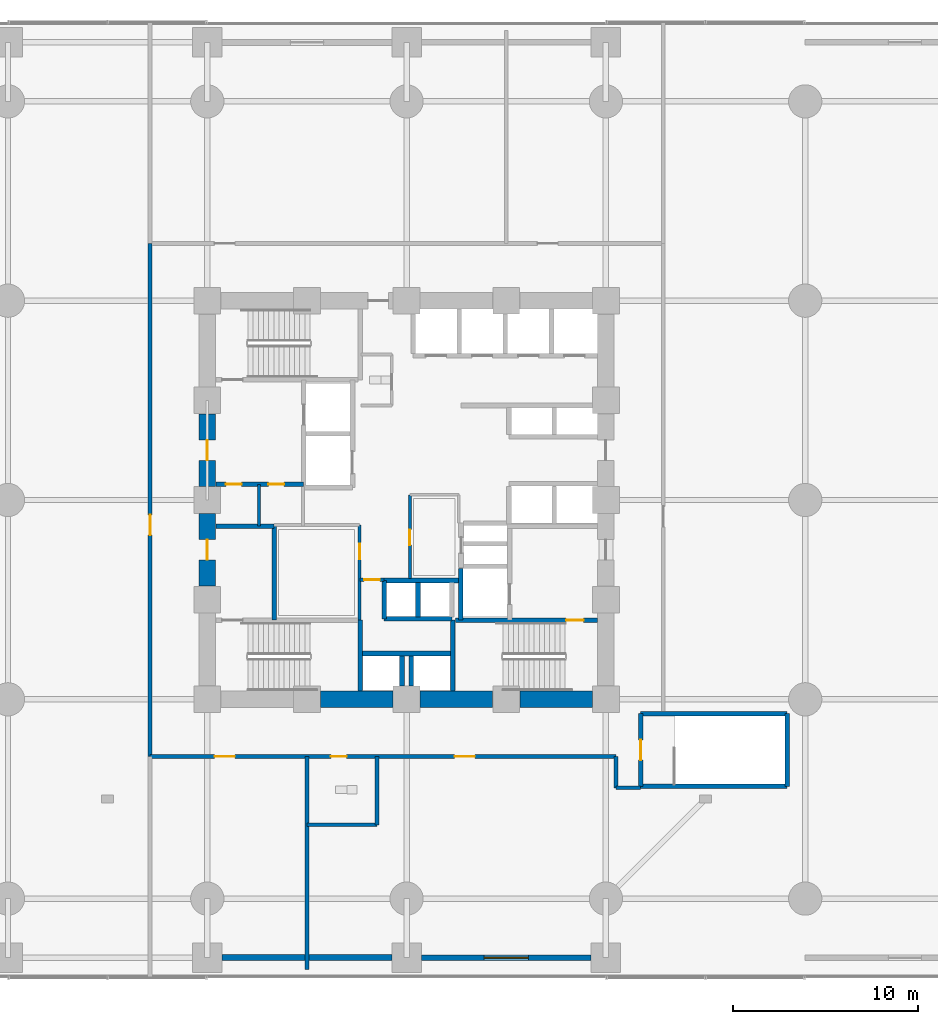
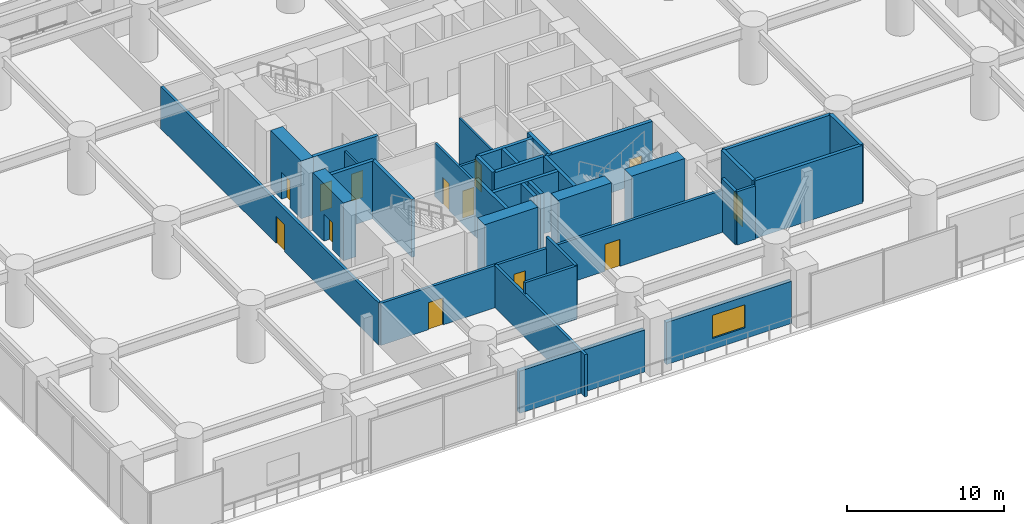
# One storey, part 27 of 35: 36 walls, 13 doors, 1 window, 14 openings.
"""IFC4 building model written with IfcOpenShell, lengths in metres."""

from ifc_helpers import new_model, si_unit, direction, frame, frame_2d, origin, place, context, subcontext, project, spatial, rectangle, extrude, material, layer, layer_set, type_object, element, fill, save


model = new_model("IFC4")

# Units and contexts
model_context = context("Model", 3, precision=1e-05, world=origin(), true_north=direction((0.0, 1.0)))
body_context = subcontext(model_context, "Body", "Model", "MODEL_VIEW")
ifc_project = project(units=[si_unit("LENGTHUNIT", "METRE"), si_unit("AREAUNIT", "SQUARE_METRE"), si_unit("VOLUMEUNIT", "CUBIC_METRE"), si_unit("PLANEANGLEUNIT", "RADIAN"), si_unit("MASSUNIT", "GRAM", prefix="KILO")], contexts=[model_context])

# Site, building, storey
site_placement = place(None, origin())
site = spatial("IfcSite", under=ifc_project, at=site_placement, CompositionType="ELEMENT")
building_placement = place(site_placement, origin())
building = spatial("IfcBuilding", under=site, at=building_placement, Name="Surkhivell Harbour Commons", CompositionType="ELEMENT")
storey_placement = place(building_placement, frame((0.0, 0.0, 13.5)))
storey = spatial("IfcBuildingStorey", under=building, at=storey_placement, Name="L03", CompositionType="ELEMENT", Elevation=13.5)

# Wall
ifc_material_1 = material(Name="Concrete C80/95", Category="concrete")
ifc_layer_1 = layer(ifc_material_1, 0.89990234375)
ifc_layer_set_1 = layer_set([ifc_layer_1], Name="Concrete C80/95")
wall_type_1 = type_object("IfcWallType", Name="WAL-CORE-900", PredefinedType="SHEAR", material=ifc_layer_set_1)
wall_1_placement = place(storey_placement, frame((-4.6650390625, -10.800048828125, 0.0), z_axis=(0.0, 0.0, 1.0), x_axis=(1.0, 0.0, 0.0)))
element("IfcWall", 1, at=wall_1_placement, inside=storey, type_object=wall_type_1, Name="L03 Core Shear Wall South 2", PredefinedType="SHEAR", context=body_context, shape_type="SweptSolid", body=[
    extrude(rectangle(XDim=3.929931640625, YDim=0.89990234375, at=frame_2d((1.96484375, 0.0))), origin(), (0.0, 0.0, 1.0), 4.5),
])

# Wall, opening, door
wall_2_placement = place(storey_placement, frame((-10.800048828125, -4.6650390625, 0.0), z_axis=(0.0, 0.0, 1.0), x_axis=(0.0, 1.0, 0.0)))
wall_2 = element("IfcWall", 2, at=wall_2_placement, inside=storey, type_object=wall_type_1, Name="L03 Core Shear Wall West 2", PredefinedType="SHEAR", context=body_context, shape_type="SweptSolid", body=[
    extrude(rectangle(XDim=3.929931640625, YDim=0.89990234375, at=frame_2d((1.96484375, 0.0))), origin(), (0.0, 0.0, 1.0), 4.5),
])
opening_1_placement = place(wall_2_placement, frame((1.4150390625, 0.0, 0.0)))
opening_1 = element("IfcOpeningElement", 3, at=opening_1_placement, cuts=wall_2, Name="Opening ID-2", PredefinedType="OPENING", context=body_context, shape_type="SweptSolid", body=[
    extrude(rectangle(XDim=1.10009765625, YDim=2.10009765625, at=frame_2d((0.550048828125, 1.050048828125))), frame((0.0, 0.4599609375, 0.0), z_axis=(0.0, -1.0, 0.0), x_axis=(1.0, 0.0, 0.0)), (0.0, 0.0, 1.0), 0.919921875),
])
ifc_material_2 = material(Name="Hardwood-veneered fire-rated door leaf", Category="wood")
door_type_1 = type_object("IfcDoorType", Name="DOR-FD60-1100", OperationType="NOTDEFINED", PredefinedType="DOOR", material=ifc_material_2)
door_1_placement = place(opening_1_placement, origin())
door_1 = element("IfcDoor", 4, at=door_1_placement, inside=storey, type_object=door_type_1, Name="L03 Stair 3 Lobby Corridor Door", OperationType="SINGLE_SWING_LEFT", OverallHeight=2.10009765625, OverallWidth=1.10009765625, PredefinedType="DOOR", context=body_context, shape_type="SweptSolid", body=[
    extrude(rectangle(XDim=1.10009765625, YDim=2.10009765625, at=frame_2d((0.550048828125, 1.050048828125))), frame((0.0, 0.02490234375, 0.0), z_axis=(0.0, -1.0, 0.0), x_axis=(1.0, 0.0, 0.0)), (0.0, 0.0, 1.0), 0.050048828125),
])
fill(opening_1, door_1)

# Wall
wall_3_placement = place(storey_placement, frame((0.735107421875, -10.800048828125, 0.0), z_axis=(0.0, 0.0, 1.0), x_axis=(1.0, 0.0, 0.0)))
element("IfcWall", 5, at=wall_3_placement, inside=storey, type_object=wall_type_1, Name="L03 Core Shear Wall South 3", PredefinedType="SHEAR", context=body_context, shape_type="SweptSolid", body=[
    extrude(rectangle(XDim=3.929931640625, YDim=0.89990234375, at=frame_2d((1.96484375, 0.0))), origin(), (0.0, 0.0, 1.0), 4.5),
])

# Wall, opening, door
wall_4_placement = place(storey_placement, frame((-10.800048828125, 0.735107421875, 0.0), z_axis=(0.0, 0.0, 1.0), x_axis=(0.0, 1.0, 0.0)))
wall_4 = element("IfcWall", 6, at=wall_4_placement, inside=storey, type_object=wall_type_1, Name="L03 Core Shear Wall West 3", PredefinedType="SHEAR", context=body_context, shape_type="SweptSolid", body=[
    extrude(rectangle(XDim=3.929931640625, YDim=0.89990234375, at=frame_2d((1.96484375, 0.0))), origin(), (0.0, 0.0, 1.0), 4.5),
])
opening_2_placement = place(wall_4_placement, frame((1.4150390625, 0.0, 0.0)))
opening_2 = element("IfcOpeningElement", 7, at=opening_2_placement, cuts=wall_4, Name="Opening ID-1", PredefinedType="OPENING", context=body_context, shape_type="SweptSolid", body=[
    extrude(rectangle(XDim=1.10009765625, YDim=2.10009765625, at=frame_2d((0.550048828125, 1.050048828125))), frame((0.0, 0.4599609375, 0.0), z_axis=(0.0, -1.0, 0.0), x_axis=(1.0, 0.0, 0.0)), (0.0, 0.0, 1.0), 0.919921875),
])
door_type_2 = type_object("IfcDoorType", Name="DOR-FD120-1100", OperationType="NOTDEFINED", PredefinedType="DOOR", material=ifc_material_2)
door_2_placement = place(opening_2_placement, origin())
door_2 = element("IfcDoor", 8, at=door_2_placement, inside=storey, type_object=door_type_2, Name="L03 Firefighting Lobby 1 Corridor Door", OperationType="SINGLE_SWING_LEFT", OverallHeight=2.10009765625, OverallWidth=1.10009765625, PredefinedType="DOOR", context=body_context, shape_type="SweptSolid", body=[
    extrude(rectangle(XDim=1.10009765625, YDim=2.10009765625, at=frame_2d((0.550048828125, 1.050048828125))), frame((0.0, 0.02490234375, 0.0), z_axis=(0.0, -1.0, 0.0), x_axis=(1.0, 0.0, 0.0)), (0.0, 0.0, 1.0), 0.050048828125),
])
fill(opening_2, door_2)

# Wall
wall_5_placement = place(storey_placement, frame((6.135009765625, -10.800048828125, 0.0), z_axis=(0.0, 0.0, 1.0), x_axis=(1.0, 0.0, 0.0)))
element("IfcWall", 9, at=wall_5_placement, inside=storey, type_object=wall_type_1, Name="L03 Core Shear Wall South 4", PredefinedType="SHEAR", context=body_context, shape_type="SweptSolid", body=[
    extrude(rectangle(XDim=3.929931640625, YDim=0.89990234375, at=frame_2d((1.96484375, 0.0))), origin(), (0.0, 0.0, 1.0), 4.5),
])

# Wall, opening, window
ifc_material_3 = material(Name="Flemish-bond kiln brick and precast concrete C45/55", Category="masonry")
ifc_layer_2 = layer(ifc_material_3, 0.300048828125)
ifc_layer_set_2 = layer_set([ifc_layer_2], Name="Flemish-bond kiln brick and precast concrete C45/55")
wall_type_2 = type_object("IfcWallType", Name="WAL-EXT-BRK300", PredefinedType="STANDARD", material=ifc_layer_set_2)
wall_6_placement = place(storey_placement, frame((10.001953125, -24.800048828125, 0.0), z_axis=(0.0, 0.0, 1.0), x_axis=(-1.0, 0.0, 0.0)))
wall_6 = element("IfcWall", 10, at=wall_6_placement, inside=storey, type_object=wall_type_2, Name="L03 Podium Brick Facade Wall S5", PredefinedType="STANDARD", context=body_context, shape_type="SweptSolid", body=[
    extrude(rectangle(XDim=9.203857421875, YDim=0.300048828125, at=frame_2d((4.60205078125, 0.0))), origin(), (0.0, 0.0, 1.0), 3.279052734375),
])
opening_3_placement = place(wall_6_placement, frame((3.402099609375, 0.0, 0.85009765625)))
opening_3 = element("IfcOpeningElement", 11, at=opening_3_placement, cuts=wall_6, Name="Opening WN-01", PredefinedType="OPENING", context=body_context, shape_type="SweptSolid", body=[
    extrude(rectangle(XDim=2.39990234375, YDim=1.800048828125, at=frame_2d((1.199951171875, 0.89990234375))), frame((0.0, 0.159912109375, 0.0), z_axis=(0.0, -1.0, 0.0), x_axis=(1.0, 0.0, 0.0)), (0.0, 0.0, 1.0), 0.320068359375),
])
ifc_material_4 = material(Name="Thermal-break aluminium frame and double low-E glazing", Category="aluminium")
window_type = type_object("IfcWindowType", Name="WIN-POD-2400x1800", PartitioningType="DOUBLE_PANEL_VERTICAL", PredefinedType="WINDOW", material=ifc_material_4)
window_placement = place(opening_3_placement, origin())
window = element("IfcWindow", 12, at=window_placement, inside=storey, type_object=window_type, Name="L03 Podium Punched Window S5", OverallHeight=1.800048828125, OverallWidth=2.39990234375, PartitioningType="SINGLE_PANEL", PredefinedType="WINDOW", context=body_context, shape_type="SweptSolid", body=[
    extrude(rectangle(XDim=2.39990234375, YDim=1.800048828125, at=frame_2d((1.199951171875, 0.89990234375))), frame((0.0, 0.030029296875, 0.0), z_axis=(0.0, -1.0, 0.0), x_axis=(1.0, 0.0, 0.0)), (0.0, 0.0, 1.0), 0.06005859375),
])
fill(opening_3, window)

# Walls
ifc_material_5 = material(Name="Kiln-fired surkhi brick and precast concrete C45/55", Category="masonry")
ifc_layer_3 = layer(ifc_material_5, 0.320068359375)
ifc_layer_set_3 = layer_set([ifc_layer_3], Name="Kiln-fired surkhi brick and precast concrete C45/55")
wall_type_3 = type_object("IfcWallType", Name="WAL-EXT-BRK320", PredefinedType="STANDARD", material=ifc_layer_set_3)
wall_7_placement = place(storey_placement, frame((-0.798095703125, -24.800048828125, 0.0), z_axis=(0.0, 0.0, 1.0), x_axis=(-1.0, 0.0, 0.0)))
element("IfcWall", 13, at=wall_7_placement, inside=storey, type_object=wall_type_3, Name="L03 Podium Brick Facade Wall S4", PredefinedType="STANDARD", context=body_context, shape_type="SweptSolid", body=[
    extrude(rectangle(XDim=9.203857421875, YDim=0.320068359375, at=frame_2d((4.60205078125, 0.0))), origin(), (0.0, 0.0, 1.0), 3.279052734375),
])
ifc_material_6 = material(Name="Twin-stud acoustic fireboard partition", Category="other")
ifc_layer_4 = layer(ifc_material_6, 0.14990234375)
ifc_layer_set_4 = layer_set([ifc_layer_4], Name="Twin-stud acoustic fireboard partition")
wall_type_4 = type_object("IfcWallType", Name="WAL-INT-150", PredefinedType="PARTITIONING", material=ifc_layer_set_4)
wall_8_placement = place(storey_placement, frame((-8.0, -1.419921875, 0.0), z_axis=(0.0, 0.0, 1.0), x_axis=(0.0, 1.0, 0.0)))
element("IfcWall", 14, at=wall_8_placement, inside=storey, type_object=wall_type_4, Name="L03 West Core Cut D1", PredefinedType="PARTITIONING", context=body_context, shape_type="SweptSolid", body=[
    extrude(rectangle(XDim=2.27001953125, YDim=0.14990234375, at=frame_2d((1.135009765625, 0.0))), origin(), (0.0, 0.0, 1.0), 4.14990234375),
])

# Wall, opening, door
wall_9_placement = place(storey_placement, frame((0.179931640625, -4.25, 0.0), z_axis=(0.0, 0.0, 1.0), x_axis=(0.0, 1.0, 0.0)))
wall_9 = element("IfcWall", 15, at=wall_9_placement, inside=storey, type_object=wall_type_4, Name="L03 Central Music West Wall", PredefinedType="PARTITIONING", context=body_context, shape_type="SweptSolid", body=[
    extrude(rectangle(XDim=4.530029296875, YDim=0.14990234375, at=frame_2d((2.26513671875, 0.0))), origin(), (0.0, 0.0, 1.0), 4.14990234375),
])
opening_4_placement = place(wall_9_placement, frame((1.800048828125, 0.0, 0.0)))
opening_4 = element("IfcOpeningElement", 16, at=opening_4_placement, cuts=wall_9, Name="Opening ID-6", PredefinedType="OPENING", context=body_context, shape_type="SweptSolid", body=[
    extrude(rectangle(XDim=0.85009765625, YDim=2.10009765625, at=frame_2d((0.425048828125, 1.050048828125))), frame((0.0, 0.0849609375, 0.0), z_axis=(0.0, -1.0, 0.0), x_axis=(1.0, 0.0, 0.0)), (0.0, 0.0, 1.0), 0.169921875),
])
door_type_3 = type_object("IfcDoorType", Name="DOR-FD30-850", OperationType="NOTDEFINED", PredefinedType="DOOR", material=ifc_material_2)
door_3_placement = place(opening_4_placement, origin())
door_3 = element("IfcDoor", 17, at=door_3_placement, inside=storey, type_object=door_type_3, Name="L03 Central Music Door", OperationType="SINGLE_SWING_RIGHT", OverallHeight=2.10009765625, OverallWidth=0.85009765625, PredefinedType="DOOR", context=body_context, shape_type="SweptSolid", body=[
    extrude(rectangle(XDim=0.85009765625, YDim=2.10009765625, at=frame_2d((0.425048828125, 1.050048828125))), frame((0.0, 0.02490234375, 0.0), z_axis=(0.0, -1.0, 0.0), x_axis=(1.0, 0.0, 0.0)), (0.0, 0.0, 1.0), 0.050048828125),
])
fill(opening_4, door_3)

ifc_material_7 = material(Name="High-density acoustic blockwork fire partition", Category="masonry")
ifc_layer_5 = layer(ifc_material_7, 0.175048828125)
ifc_layer_set_5 = layer_set([ifc_layer_5], Name="High-density acoustic blockwork fire partition")
wall_type_5 = type_object("IfcWallType", Name="WAL-INT-175", PredefinedType="PARTITIONING", material=ifc_layer_set_5)
wall_10_placement = place(storey_placement, frame((-2.550048828125, -6.510009765625, 0.0), z_axis=(0.0, 0.0, 1.0), x_axis=(0.0, 1.0, 0.0)))
wall_10 = element("IfcWall", 18, at=wall_10_placement, inside=storey, type_object=wall_type_5, Name="L03 Core Service Bay East Wall", PredefinedType="PARTITIONING", context=body_context, shape_type="SweptSolid", body=[
    extrude(rectangle(XDim=5.159912109375, YDim=0.175048828125, at=frame_2d((2.580078125, 0.0))), origin(), (0.0, 0.0, 1.0), 4.14990234375),
])
opening_5_placement = place(wall_10_placement, frame((3.300048828125, 0.0, 0.0)))
opening_5 = element("IfcOpeningElement", 19, at=opening_5_placement, cuts=wall_10, Name="Opening ID-6", PredefinedType="OPENING", context=body_context, shape_type="SweptSolid", body=[
    extrude(rectangle(XDim=0.85009765625, YDim=2.10009765625, at=frame_2d((0.425048828125, 1.050048828125))), frame((0.0, 0.097412109375, 0.0), z_axis=(0.0, -1.0, 0.0), x_axis=(1.0, 0.0, 0.0)), (0.0, 0.0, 1.0), 0.195068359375),
])
door_4_placement = place(opening_5_placement, origin())
door_4 = element("IfcDoor", 20, at=door_4_placement, inside=storey, type_object=door_type_3, Name="L03 Core Quiet Reading Door", OperationType="SINGLE_SWING_RIGHT", OverallHeight=2.10009765625, OverallWidth=0.85009765625, PredefinedType="DOOR", context=body_context, shape_type="SweptSolid", body=[
    extrude(rectangle(XDim=0.85009765625, YDim=2.10009765625, at=frame_2d((0.425048828125, 1.050048828125))), frame((0.0, 0.02490234375, 0.0), z_axis=(0.0, -1.0, 0.0), x_axis=(1.0, 0.0, 0.0)), (0.0, 0.0, 1.0), 0.050048828125),
])
fill(opening_5, door_4)

wall_11_placement = place(storey_placement, frame((-2.52001953125, -4.320068359375, 0.0), z_axis=(0.0, 0.0, 1.0), x_axis=(1.0, 0.0, 0.0)))
wall_11 = element("IfcWall", 21, at=wall_11_placement, inside=storey, type_object=wall_type_5, Name="L03 High-Rise Lobby North Portal Wall", PredefinedType="PARTITIONING", context=body_context, shape_type="SweptSolid", body=[
    extrude(rectangle(XDim=1.300048828125, YDim=0.175048828125, at=frame_2d((0.64990234375, 0.0))), origin(), (0.0, 0.0, 1.0), 4.14990234375),
])
opening_6_placement = place(wall_11_placement, frame((0.219970703125, 0.0, 0.0)))
opening_6 = element("IfcOpeningElement", 22, at=opening_6_placement, cuts=wall_11, Name="Opening ID-6", PredefinedType="OPENING", context=body_context, shape_type="SweptSolid", body=[
    extrude(rectangle(XDim=0.85009765625, YDim=2.10009765625, at=frame_2d((0.425048828125, 1.050048828125))), frame((0.0, 0.097412109375, 0.0), z_axis=(0.0, -1.0, 0.0), x_axis=(1.0, 0.0, 0.0)), (0.0, 0.0, 1.0), 0.195068359375),
])
door_5_placement = place(opening_6_placement, origin())
door_5 = element("IfcDoor", 23, at=door_5_placement, inside=storey, type_object=door_type_3, Name="L03 High-Rise Lift Lobby North Door", OperationType="SINGLE_SWING_LEFT", OverallHeight=2.10009765625, OverallWidth=0.85009765625, PredefinedType="DOOR", context=body_context, shape_type="SweptSolid", body=[
    extrude(rectangle(XDim=0.85009765625, YDim=2.10009765625, at=frame_2d((0.425048828125, 1.050048828125))), frame((0.0, 0.02490234375, 0.0), z_axis=(0.0, -1.0, 0.0), x_axis=(1.0, 0.0, 0.0)), (0.0, 0.0, 1.0), 0.050048828125),
])
fill(opening_6, door_5)

# Walls
ifc_material_8 = material(Name="Autoclaved aerated concrete blockwork and fire plaster", Category="masonry")
ifc_layer_6 = layer(ifc_material_8, 0.199951171875)
ifc_layer_set_6 = layer_set([ifc_layer_6], Name="Autoclaved aerated concrete blockwork and fire plaster")
wall_type_6 = type_object("IfcWallType", Name="WAL-INT-200", PredefinedType="PARTITIONING", material=ifc_layer_set_6)
wall_12_placement = place(storey_placement, frame((-5.39990234375, -25.449951171875, 0.0), z_axis=(0.0, 0.0, 1.0), x_axis=(0.0, 1.0, 0.0)))
element("IfcWall", 24, at=wall_12_placement, inside=storey, type_object=wall_type_6, Name="L03 Podium South WC West Wall", PredefinedType="PARTITIONING", context=body_context, shape_type="SweptSolid", body=[
    extrude(rectangle(XDim=11.550048828125, YDim=0.199951171875, at=frame_2d((5.77490234375, 0.0))), origin(), (0.0, 0.0, 1.0), 3.279052734375),
])
wall_13_placement = place(storey_placement, frame((-1.60009765625, -17.60009765625, 0.0), z_axis=(0.0, 0.0, 1.0), x_axis=(0.0, 1.0, 0.0)))
element("IfcWall", 25, at=wall_13_placement, inside=storey, type_object=wall_type_6, Name="L03 Podium South WC East Wall", PredefinedType="PARTITIONING", context=body_context, shape_type="SweptSolid", body=[
    extrude(rectangle(XDim=3.7001953125, YDim=0.199951171875, at=frame_2d((1.85009765625, 0.0))), origin(), (0.0, 0.0, 1.0), 4.14990234375),
])
wall_14_placement = place(storey_placement, frame((-5.39990234375, -17.60009765625, 0.0), z_axis=(0.0, 0.0, 1.0), x_axis=(1.0, 0.0, 0.0)))
element("IfcWall", 26, at=wall_14_placement, inside=storey, type_object=wall_type_6, Name="L03 Podium South WC Back Wall", PredefinedType="PARTITIONING", context=body_context, shape_type="SweptSolid", body=[
    extrude(rectangle(XDim=3.7998046875, YDim=0.199951171875, at=frame_2d((1.89990234375, 0.0))), origin(), (0.0, 0.0, 1.0), 4.14990234375),
])

# Wall, openings, doors
wall_15_placement = place(storey_placement, frame((-13.89990234375, -13.89990234375, 0.0), z_axis=(0.0, 0.0, 1.0), x_axis=(1.0, 0.0, 0.0)))
wall_15 = element("IfcWall", 27, at=wall_15_placement, inside=storey, type_object=wall_type_6, Name="L03 Corridor South Wall", PredefinedType="PARTITIONING", context=body_context, shape_type="SweptSolid", body=[
    extrude(rectangle(XDim=25.25, YDim=0.199951171875, at=frame_2d((12.625, 0.0))), origin(), (0.0, 0.0, 1.0), 3.279052734375),
])
opening_7_placement = place(wall_15_placement, frame((3.5, 0.0, 0.0)))
opening_7 = element("IfcOpeningElement", 28, at=opening_7_placement, cuts=wall_15, Name="Opening ID-2", PredefinedType="OPENING", context=body_context, shape_type="SweptSolid", body=[
    extrude(rectangle(XDim=1.10009765625, YDim=2.10009765625, at=frame_2d((0.550048828125, 1.050048828125))), frame((0.0, 0.10986328125, 0.0), z_axis=(0.0, -1.0, 0.0), x_axis=(1.0, 0.0, 0.0)), (0.0, 0.0, 1.0), 0.219970703125),
])
opening_8_placement = place(wall_15_placement, frame((9.800048828125, 0.0, 0.0)))
opening_8 = element("IfcOpeningElement", 29, at=opening_8_placement, cuts=wall_15, Name="Opening ID-6", PredefinedType="OPENING", context=body_context, shape_type="SweptSolid", body=[
    extrude(rectangle(XDim=0.85009765625, YDim=2.10009765625, at=frame_2d((0.425048828125, 1.050048828125))), frame((0.0, 0.10986328125, 0.0), z_axis=(0.0, -1.0, 0.0), x_axis=(1.0, 0.0, 0.0)), (0.0, 0.0, 1.0), 0.219970703125),
])
opening_9_placement = place(wall_15_placement, frame((16.5, 0.0, 0.0)))
opening_9 = element("IfcOpeningElement", 30, at=opening_9_placement, cuts=wall_15, Name="Opening ID-2", PredefinedType="OPENING", context=body_context, shape_type="SweptSolid", body=[
    extrude(rectangle(XDim=1.10009765625, YDim=2.10009765625, at=frame_2d((0.550048828125, 1.050048828125))), frame((0.0, 0.10986328125, 0.0), z_axis=(0.0, -1.0, 0.0), x_axis=(1.0, 0.0, 0.0)), (0.0, 0.0, 1.0), 0.219970703125),
])
door_6_placement = place(opening_8_placement, origin())
door_6 = element("IfcDoor", 31, at=door_6_placement, inside=storey, type_object=door_type_3, Name="L03 Forum Accessible WC Door", OperationType="SINGLE_SWING_LEFT", OverallHeight=2.10009765625, OverallWidth=0.85009765625, PredefinedType="DOOR", context=body_context, shape_type="SweptSolid", body=[
    extrude(rectangle(XDim=0.85009765625, YDim=2.10009765625, at=frame_2d((0.425048828125, 1.050048828125))), frame((0.0, 0.02490234375, 0.0), z_axis=(0.0, -1.0, 0.0), x_axis=(1.0, 0.0, 0.0)), (0.0, 0.0, 1.0), 0.050048828125),
])
fill(opening_8, door_6)
door_7_placement = place(opening_7_placement, origin())
door_7 = element("IfcDoor", 32, at=door_7_placement, inside=storey, type_object=door_type_1, Name="L03 Maker Fabrication Workshop Door", OperationType="SINGLE_SWING_RIGHT", OverallHeight=2.10009765625, OverallWidth=1.10009765625, PredefinedType="DOOR", context=body_context, shape_type="SweptSolid", body=[
    extrude(rectangle(XDim=1.10009765625, YDim=2.10009765625, at=frame_2d((0.550048828125, 1.050048828125))), frame((0.0, 0.02490234375, 0.0), z_axis=(0.0, -1.0, 0.0), x_axis=(1.0, 0.0, 0.0)), (0.0, 0.0, 1.0), 0.050048828125),
])
fill(opening_7, door_7)
door_8_placement = place(opening_9_placement, origin())
door_8 = element("IfcDoor", 33, at=door_8_placement, inside=storey, type_object=door_type_1, Name="L03 L03 Harbour Reading Hall Door", OperationType="SINGLE_SWING_RIGHT", OverallHeight=2.10009765625, OverallWidth=1.10009765625, PredefinedType="DOOR", context=body_context, shape_type="SweptSolid", body=[
    extrude(rectangle(XDim=1.10009765625, YDim=2.10009765625, at=frame_2d((0.550048828125, 1.050048828125))), frame((0.0, 0.02490234375, 0.0), z_axis=(0.0, -1.0, 0.0), x_axis=(1.0, 0.0, 0.0)), (0.0, 0.0, 1.0), 0.050048828125),
])
fill(opening_9, door_8)

# Wall, opening, door
wall_16_placement = place(storey_placement, frame((-13.89990234375, -13.89990234375, 0.0), z_axis=(0.0, 0.0, 1.0), x_axis=(0.0, 1.0, 0.0)))
wall_16 = element("IfcWall", 34, at=wall_16_placement, inside=storey, type_object=wall_type_6, Name="L03 Corridor West Wall", PredefinedType="PARTITIONING", context=body_context, shape_type="SweptSolid", body=[
    extrude(rectangle(XDim=27.7998046875, YDim=0.199951171875, at=frame_2d((13.89990234375, 0.0))), origin(), (0.0, 0.0, 1.0), 3.279052734375),
])
opening_10_placement = place(wall_16_placement, frame((12.0, 0.0, 0.0)))
opening_10 = element("IfcOpeningElement", 35, at=opening_10_placement, cuts=wall_16, Name="Opening ID-2", PredefinedType="OPENING", context=body_context, shape_type="SweptSolid", body=[
    extrude(rectangle(XDim=1.10009765625, YDim=2.10009765625, at=frame_2d((0.550048828125, 1.050048828125))), frame((0.0, 0.10986328125, 0.0), z_axis=(0.0, -1.0, 0.0), x_axis=(1.0, 0.0, 0.0)), (0.0, 0.0, 1.0), 0.219970703125),
])
door_9_placement = place(opening_10_placement, origin())
door_9 = element("IfcDoor", 36, at=door_9_placement, inside=storey, type_object=door_type_1, Name="L03 L03 West Commons Hall Door", OperationType="SINGLE_SWING_LEFT", OverallHeight=2.10009765625, OverallWidth=1.10009765625, PredefinedType="DOOR", context=body_context, shape_type="SweptSolid", body=[
    extrude(rectangle(XDim=1.10009765625, YDim=2.10009765625, at=frame_2d((0.550048828125, 1.050048828125))), frame((0.0, 0.02490234375, 0.0), z_axis=(0.0, -1.0, 0.0), x_axis=(1.0, 0.0, 0.0)), (0.0, 0.0, 1.0), 0.050048828125),
])
fill(opening_10, door_9)

# Walls
wall_17_placement = place(storey_placement, frame((11.35009765625, -15.60009765625, 0.0), z_axis=(0.0, 0.0, 1.0), x_axis=(1.0, 0.0, 0.0)))
element("IfcWall", 37, at=wall_17_placement, inside=storey, type_object=wall_type_6, Name="L03 Stair ST4 Corridor South Wall", PredefinedType="PARTITIONING", context=body_context, shape_type="SweptSolid", body=[
    extrude(rectangle(XDim=1.329833984375, YDim=0.199951171875, at=frame_2d((0.6650390625, 0.0))), origin(), (0.0, 0.0, 1.0), 4.14990234375),
])
wall_18_placement = place(storey_placement, frame((11.35009765625, -15.60009765625, 0.0), z_axis=(0.0, 0.0, 1.0), x_axis=(0.0, 1.0, 0.0)))
element("IfcWall", 38, at=wall_18_placement, inside=storey, type_object=wall_type_6, Name="L03 Stair ST4 Corridor West Wall", PredefinedType="PARTITIONING", context=body_context, shape_type="SweptSolid", body=[
    extrude(rectangle(XDim=1.7001953125, YDim=0.199951171875, at=frame_2d((0.85009765625, 0.0))), origin(), (0.0, 0.0, 1.0), 4.14990234375),
])

# Wall, openings, doors
ifc_material_9 = material(Name="Concrete C50/60", Category="concrete")
ifc_layer_7 = layer(ifc_material_9, 0.25)
ifc_layer_set_7 = layer_set([ifc_layer_7], Name="Concrete C50/60")
wall_type_7 = type_object("IfcWallType", Name="WAL-SHAFT-250", PredefinedType="SHEAR", material=ifc_layer_set_7)
wall_19_placement = place(storey_placement, frame((-10.340087890625, 0.85009765625, 0.0), z_axis=(0.0, 0.0, 1.0), x_axis=(1.0, 0.0, 0.0)))
wall_19 = element("IfcWall", 39, at=wall_19_placement, inside=storey, type_object=wall_type_7, Name="L03 Firefighting Lobby 1 South Wall", PredefinedType="SHEAR", context=body_context, shape_type="SweptSolid", body=[
    extrude(rectangle(XDim=4.760009765625, YDim=0.25, at=frame_2d((2.3798828125, 0.0))), origin(), (0.0, 0.0, 1.0), 4.5),
])
opening_11_placement = place(wall_19_placement, frame((0.550048828125, 0.0, 0.0)))
opening_11 = element("IfcOpeningElement", 40, at=opening_11_placement, cuts=wall_19, Name="Opening ID-6", PredefinedType="OPENING", context=body_context, shape_type="SweptSolid", body=[
    extrude(rectangle(XDim=0.85009765625, YDim=2.10009765625, at=frame_2d((0.425048828125, 1.050048828125))), frame((0.0, 0.135009765625, 0.0), z_axis=(0.0, -1.0, 0.0), x_axis=(1.0, 0.0, 0.0)), (0.0, 0.0, 1.0), 0.27001953125),
])
opening_12_placement = place(wall_19_placement, frame((2.85009765625, 0.0, 0.0)))
opening_12 = element("IfcOpeningElement", 41, at=opening_12_placement, cuts=wall_19, Name="Opening ID-6", PredefinedType="OPENING", context=body_context, shape_type="SweptSolid", body=[
    extrude(rectangle(XDim=0.85009765625, YDim=2.10009765625, at=frame_2d((0.425048828125, 1.050048828125))), frame((0.0, 0.135009765625, 0.0), z_axis=(0.0, -1.0, 0.0), x_axis=(1.0, 0.0, 0.0)), (0.0, 0.0, 1.0), 0.27001953125),
])
door_10_placement = place(opening_11_placement, origin())
door_10 = element("IfcDoor", 42, at=door_10_placement, inside=storey, type_object=door_type_3, Name="L03 West Seminar Pod Door", OperationType="SINGLE_SWING_LEFT", OverallHeight=2.10009765625, OverallWidth=0.85009765625, PredefinedType="DOOR", context=body_context, shape_type="SweptSolid", body=[
    extrude(rectangle(XDim=0.85009765625, YDim=2.10009765625, at=frame_2d((0.425048828125, 1.050048828125))), frame((0.0, 0.02490234375, 0.0), z_axis=(0.0, -1.0, 0.0), x_axis=(1.0, 0.0, 0.0)), (0.0, 0.0, 1.0), 0.050048828125),
])
fill(opening_11, door_10)
door_11_placement = place(opening_12_placement, origin())
door_11 = element("IfcDoor", 43, at=door_11_placement, inside=storey, type_object=door_type_3, Name="L03 West Reading Pod Door", OperationType="SINGLE_SWING_RIGHT", OverallHeight=2.10009765625, OverallWidth=0.85009765625, PredefinedType="DOOR", context=body_context, shape_type="SweptSolid", body=[
    extrude(rectangle(XDim=0.85009765625, YDim=2.10009765625, at=frame_2d((0.425048828125, 1.050048828125))), frame((0.0, 0.02490234375, 0.0), z_axis=(0.0, -1.0, 0.0), x_axis=(1.0, 0.0, 0.0)), (0.0, 0.0, 1.0), 0.050048828125),
])
fill(opening_12, door_11)

# Walls
wall_20_placement = place(storey_placement, frame((2.929931640625, -6.510009765625, 0.0), z_axis=(0.0, 0.0, 1.0), x_axis=(0.0, 1.0, 0.0)))
element("IfcWall", 44, at=wall_20_placement, inside=storey, type_object=wall_type_7, Name="L03 FFL2 West Shaft Wall", PredefinedType="SHEAR", context=body_context, shape_type="SweptSolid", body=[
    extrude(rectangle(XDim=2.7900390625, YDim=0.25, at=frame_2d((1.39501953125, 0.0))), origin(), (0.0, 0.0, 1.0), 4.5),
])
wall_21_placement = place(storey_placement, frame((0.6201171875, -6.340087890625, 0.0), z_axis=(0.0, 0.0, 1.0), x_axis=(0.0, 1.0, 0.0)))
element("IfcWall", 45, at=wall_21_placement, inside=storey, type_object=wall_type_7, Name="L03 High-Rise Side Wall N", PredefinedType="SHEAR", context=body_context, shape_type="SweptSolid", body=[
    extrude(rectangle(XDim=1.880126953125, YDim=0.25, at=frame_2d((0.93994140625, 0.0))), origin(), (0.0, 0.0, 1.0), 4.5),
])
for number, where, z_axis, x_axis, name in (
    (46, (-0.25, -10.074951171875, 0.0), (0.0, 0.0, 1.0), (0.0, 1.0, 0.0), "L03 High-Rise Side Wall S"),
    (47, (0.25, -10.074951171875, 0.0), (0.0, 0.0, 1.0), (0.0, 1.0, 0.0), "L03 High-Rise Side Wall S"),
):
    element("IfcWall", number, at=place(storey_placement, frame(where, z_axis=z_axis, x_axis=x_axis)), inside=storey, type_object=wall_type_7, Name=name, PredefinedType="SHEAR", context=body_context, shape_type="SweptSolid", body=[
        extrude(rectangle(XDim=1.635009765625, YDim=0.25, at=frame_2d((0.8173828125, 0.0))), origin(), (0.0, 0.0, 1.0), 4.5),
    ])
wall_22_placement = place(storey_placement, frame((-1.219970703125, -6.43994140625, 0.0), z_axis=(0.0, 0.0, 1.0), x_axis=(0.0, 1.0, 0.0)))
element("IfcWall", 48, at=wall_22_placement, inside=storey, type_object=wall_type_7, Name="L03 High-Rise Passage East Shaft Wall", PredefinedType="SHEAR", context=body_context, shape_type="SweptSolid", body=[
    extrude(rectangle(XDim=2.079833984375, YDim=0.25, at=frame_2d((1.0400390625, 0.0))), origin(), (0.0, 0.0, 1.0), 4.5),
])
wall_23_placement = place(storey_placement, frame((-1.219970703125, -6.43994140625, 0.0), z_axis=(0.0, 0.0, 1.0), x_axis=(1.0, 0.0, 0.0)))
element("IfcWall", 49, at=wall_23_placement, inside=storey, type_object=wall_type_7, Name="L03 High-Rise North Front Shaft Wall", PredefinedType="SHEAR", context=body_context, shape_type="SweptSolid", body=[
    extrude(rectangle(XDim=3.669921875, YDim=0.25, at=frame_2d((1.8349609375, 0.0))), origin(), (0.0, 0.0, 1.0), 4.5),
])
wall_24_placement = place(storey_placement, frame((-2.47998046875, -8.320068359375, 0.0), z_axis=(0.0, 0.0, 1.0), x_axis=(1.0, 0.0, 0.0)))
element("IfcWall", 50, at=wall_24_placement, inside=storey, type_object=wall_type_7, Name="L03 High-Rise South Front Shaft Wall", PredefinedType="SHEAR", context=body_context, shape_type="SweptSolid", body=[
    extrude(rectangle(XDim=4.929931640625, YDim=0.25, at=frame_2d((2.46484375, 0.0))), origin(), (0.0, 0.0, 1.0), 4.5),
])
wall_25_placement = place(storey_placement, frame((-1.219970703125, -4.360107421875, 0.0), z_axis=(0.0, 0.0, 1.0), x_axis=(1.0, 0.0, 0.0)))
element("IfcWall", 51, at=wall_25_placement, inside=storey, type_object=wall_type_7, Name="L03 High-Rise North Back Shaft Wall", PredefinedType="SHEAR", context=body_context, shape_type="SweptSolid", body=[
    extrude(rectangle(XDim=4.030029296875, YDim=0.25, at=frame_2d((2.01513671875, 0.0))), origin(), (0.0, 0.0, 1.0), 4.5),
])

# Wall, opening, door
wall_26_placement = place(storey_placement, frame((2.639892578125, -6.510009765625, 0.0), z_axis=(0.0, 0.0, 1.0), x_axis=(1.0, 0.0, 0.0)))
wall_26 = element("IfcWall", 52, at=wall_26_placement, inside=storey, type_object=wall_type_7, Name="L03 Stair ST2 North Shear Wall", PredefinedType="SHEAR", context=body_context, shape_type="SweptSolid", body=[
    extrude(rectangle(XDim=7.7001953125, YDim=0.25, at=frame_2d((3.85009765625, 0.0))), origin(), (0.0, 0.0, 1.0), 4.5),
])
opening_13_placement = place(wall_26_placement, frame((6.0, 0.0, 0.0)))
opening_13 = element("IfcOpeningElement", 53, at=opening_13_placement, cuts=wall_26, Name="Opening ID-4", PredefinedType="OPENING", context=body_context, shape_type="SweptSolid", body=[
    extrude(rectangle(XDim=0.949951171875, YDim=2.10009765625, at=frame_2d((0.47509765625, 1.050048828125))), frame((0.0, 0.135009765625, 0.0), z_axis=(0.0, -1.0, 0.0), x_axis=(1.0, 0.0, 0.0)), (0.0, 0.0, 1.0), 0.27001953125),
])
door_type_4 = type_object("IfcDoorType", Name="DOR-FD60-950", OperationType="NOTDEFINED", PredefinedType="DOOR", material=ifc_material_2)
door_12_placement = place(opening_13_placement, origin())
door_12 = element("IfcDoor", 54, at=door_12_placement, inside=storey, type_object=door_type_4, Name="L03 Stair ST2 Exit Door", OperationType="SINGLE_SWING_RIGHT", OverallHeight=2.10009765625, OverallWidth=0.949951171875, PredefinedType="DOOR", context=body_context, shape_type="SweptSolid", body=[
    extrude(rectangle(XDim=0.949951171875, YDim=2.10009765625, at=frame_2d((0.47509765625, 1.050048828125))), frame((0.0, 0.02490234375, 0.0), z_axis=(0.0, -1.0, 0.0), x_axis=(1.0, 0.0, 0.0)), (0.0, 0.0, 1.0), 0.050048828125),
])
fill(opening_13, door_12)

# Walls
for number, where, z_axis, x_axis, name in (
    (55, (2.510009765625, -10.35009765625, 0.0), (0.0, 0.0, 1.0), (0.0, 1.0, 0.0), "L03 Stair ST2 West Shear Wall"),
    (56, (-2.510009765625, -10.35009765625, 0.0), (0.0, 0.0, 1.0), (0.0, 1.0, 0.0), "L03 Stair ST3 East Shear Wall"),
):
    element("IfcWall", number, at=place(storey_placement, frame(where, z_axis=z_axis, x_axis=x_axis)), inside=storey, type_object=wall_type_7, Name=name, PredefinedType="SHEAR", context=body_context, shape_type="SweptSolid", body=[
        extrude(rectangle(XDim=3.840087890625, YDim=0.25, at=frame_2d((1.919921875, 0.0))), origin(), (0.0, 0.0, 1.0), 4.5),
    ])
wall_27_placement = place(storey_placement, frame((-7.179931640625, -6.510009765625, 0.0), z_axis=(0.0, 0.0, 1.0), x_axis=(0.0, 1.0, 0.0)))
element("IfcWall", 57, at=wall_27_placement, inside=storey, type_object=wall_type_7, Name="L03 Stair 3 Lobby East Wall", PredefinedType="SHEAR", context=body_context, shape_type="SweptSolid", body=[
    extrude(rectangle(XDim=5.090087890625, YDim=0.25, at=frame_2d((2.544921875, 0.0))), origin(), (0.0, 0.0, 1.0), 4.5),
])
wall_28_placement = place(storey_placement, frame((-10.340087890625, -1.419921875, 0.0), z_axis=(0.0, 0.0, 1.0), x_axis=(1.0, 0.0, 0.0)))
element("IfcWall", 58, at=wall_28_placement, inside=storey, type_object=wall_type_7, Name="L03 Stair 3 Lobby North Wall", PredefinedType="SHEAR", context=body_context, shape_type="SweptSolid", body=[
    extrude(rectangle(XDim=3.16015625, YDim=0.25, at=frame_2d((1.580078125, 0.0))), origin(), (0.0, 0.0, 1.0), 4.5),
])
wall_29_placement = place(storey_placement, frame((20.6201171875, -15.52001953125, 0.0), z_axis=(0.0, 0.0, 1.0), x_axis=(0.0, 1.0, 0.0)))
element("IfcWall", 59, at=wall_29_placement, inside=storey, type_object=wall_type_7, Name="L03 Stair ST4 East Shear Wall", PredefinedType="SHEAR", context=body_context, shape_type="SweptSolid", body=[
    extrude(rectangle(XDim=3.93994140625, YDim=0.25, at=frame_2d((1.969970703125, 0.0))), origin(), (0.0, 0.0, 1.0), 4.5),
])
for number, where, z_axis, x_axis, name in (
    (60, (12.679931640625, -11.580078125, 0.0), (0.0, 0.0, 1.0), (1.0, 0.0, 0.0), "L03 Stair ST4 North Shear Wall"),
    (61, (12.679931640625, -15.52001953125, 0.0), (0.0, 0.0, 1.0), (1.0, 0.0, 0.0), "L03 Stair ST4 South Shear Wall"),
):
    element("IfcWall", number, at=place(storey_placement, frame(where, z_axis=z_axis, x_axis=x_axis)), inside=storey, type_object=wall_type_7, Name=name, PredefinedType="SHEAR", context=body_context, shape_type="SweptSolid", body=[
        extrude(rectangle(XDim=7.940185546875, YDim=0.25, at=frame_2d((3.97021484375, 0.0))), origin(), (0.0, 0.0, 1.0), 4.5),
    ])

# Wall, opening, door
wall_30_placement = place(storey_placement, frame((12.679931640625, -15.52001953125, 0.0), z_axis=(0.0, 0.0, 1.0), x_axis=(0.0, 1.0, 0.0)))
wall_30 = element("IfcWall", 62, at=wall_30_placement, inside=storey, type_object=wall_type_7, Name="L03 Stair ST4 West Shear Wall", PredefinedType="SHEAR", context=body_context, shape_type="SweptSolid", body=[
    extrude(rectangle(XDim=3.93994140625, YDim=0.25, at=frame_2d((1.969970703125, 0.0))), origin(), (0.0, 0.0, 1.0), 4.5),
])
opening_14_placement = place(wall_30_placement, frame((1.419921875, 0.0, 0.0)))
opening_14 = element("IfcOpeningElement", 63, at=opening_14_placement, cuts=wall_30, Name="Opening ID-2", PredefinedType="OPENING", context=body_context, shape_type="SweptSolid", body=[
    extrude(rectangle(XDim=1.10009765625, YDim=2.10009765625, at=frame_2d((0.550048828125, 1.050048828125))), frame((0.0, 0.135009765625, 0.0), z_axis=(0.0, -1.0, 0.0), x_axis=(1.0, 0.0, 0.0)), (0.0, 0.0, 1.0), 0.27001953125),
])
door_13_placement = place(opening_14_placement, origin())
door_13 = element("IfcDoor", 64, at=door_13_placement, inside=storey, type_object=door_type_1, Name="L03 Podium Stair ST4 Exit Door", OperationType="SINGLE_SWING_LEFT", OverallHeight=2.10009765625, OverallWidth=1.10009765625, PredefinedType="DOOR", context=body_context, shape_type="SweptSolid", body=[
    extrude(rectangle(XDim=1.10009765625, YDim=2.10009765625, at=frame_2d((0.550048828125, 1.050048828125))), frame((0.0, 0.02490234375, 0.0), z_axis=(0.0, -1.0, 0.0), x_axis=(1.0, 0.0, 0.0)), (0.0, 0.0, 1.0), 0.050048828125),
])
fill(opening_14, door_13)

save(model, "model.ifc")
